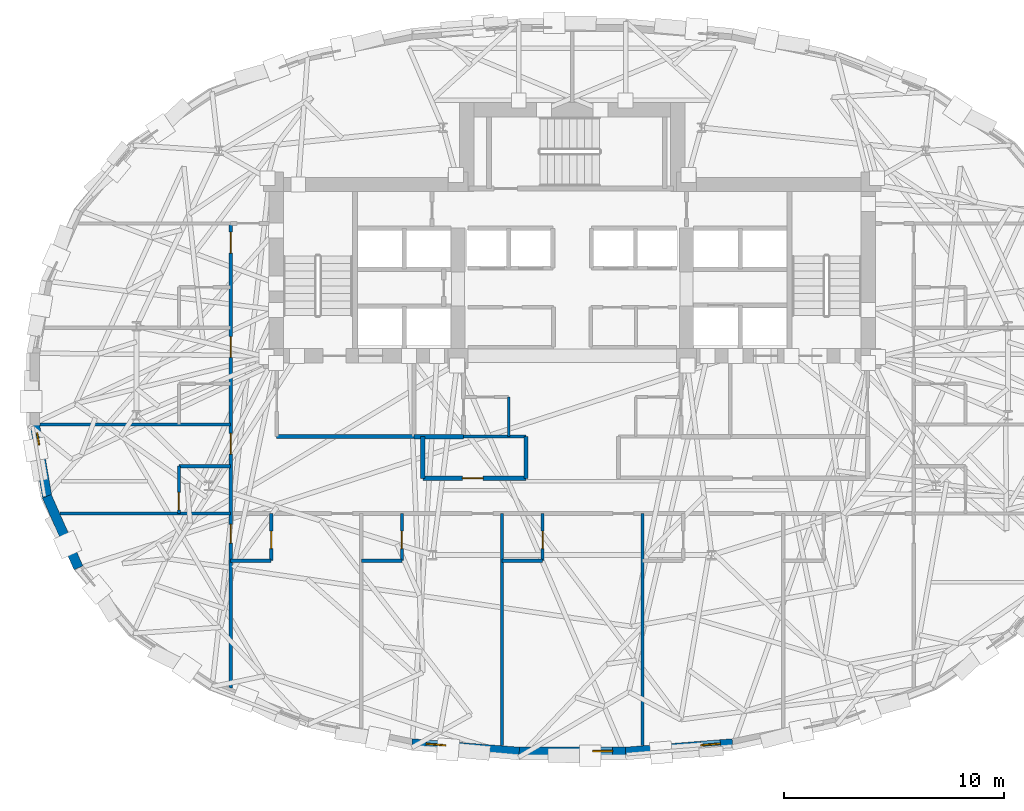
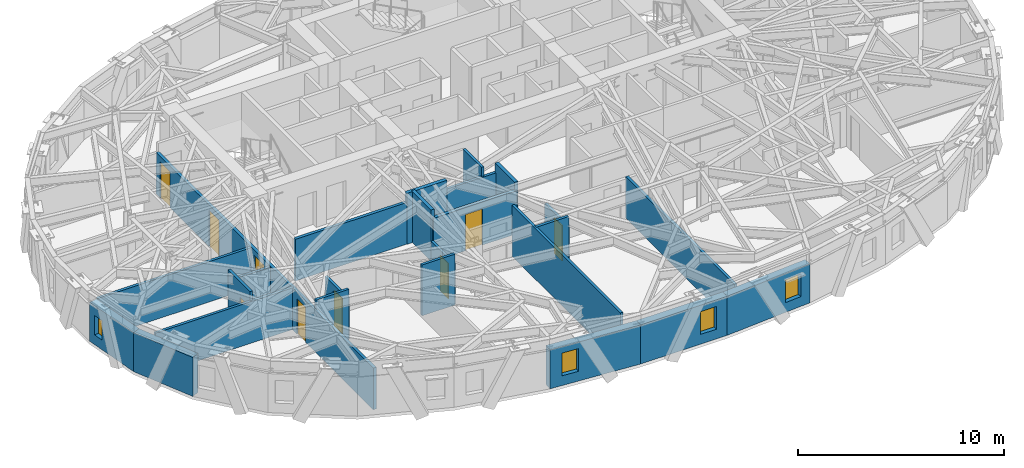
# One storey, part 6 of 15: 25 walls, 9 doors, 4 windows, 13 openings.
"""IFC4 building model written with IfcOpenShell, lengths in metres."""

from ifc_helpers import new_model, si_unit, direction, frame, frame_2d, origin, place, context, subcontext, project, spatial, rectangle, extrude, material, layer, layer_set, type_object, element, fill, save


model = new_model("IFC4")

# Units and contexts
model_context = context("Model", 3, precision=1e-05, world=origin(), true_north=direction((0.0, 1.0)))
body_context = subcontext(model_context, "Body", "Model", "MODEL_VIEW")
ifc_project = project(units=[si_unit("LENGTHUNIT", "METRE"), si_unit("AREAUNIT", "SQUARE_METRE"), si_unit("VOLUMEUNIT", "CUBIC_METRE"), si_unit("PLANEANGLEUNIT", "RADIAN"), si_unit("MASSUNIT", "GRAM", prefix="KILO")], contexts=[model_context])

# Site, building, storey
site_placement = place(None, origin())
site = spatial("IfcSite", under=ifc_project, at=site_placement, CompositionType="ELEMENT")
building_placement = place(site_placement, origin())
building = spatial("IfcBuilding", under=site, at=building_placement, Name="Keldmark Tower", CompositionType="ELEMENT")
storey_placement = place(building_placement, frame((0.0, 0.0, 150.199951171875)))
storey = spatial("IfcBuildingStorey", under=building, at=storey_placement, Name="L40", CompositionType="ELEMENT", Elevation=150.199951171875)

# Wall, opening, door
ifc_material_1 = material(Name="Heavy Acoustic Plumbing Chase Gypsum Assembly", Category="gypsum")
ifc_layer_1 = layer(ifc_material_1, 0.18994140625)
ifc_layer_set_1 = layer_set([ifc_layer_1], Name="Heavy Acoustic Plumbing Chase Gypsum Assembly")
wall_type_1 = type_object("IfcWallType", Name="Heavy Wet Wall 190 mm", PredefinedType="PLUMBINGWALL", material=ifc_layer_set_1)
wall_1_placement = place(storey_placement, frame((-6.800048828125, -4.050048828125, 0.0), z_axis=(0.0, 0.0, 1.0), x_axis=(1.0, 0.0, 0.0)))
wall_1 = element("IfcWall", 1, at=wall_1_placement, inside=storey, type_object=wall_type_1, Name="L40 Heavy Wet Wall 190 mm SPK-W-S", PredefinedType="PLUMBINGWALL", context=body_context, shape_type="SweptSolid", body=[
    extrude(rectangle(XDim=4.699951171875, YDim=0.18994140625, at=frame_2d((2.35009765625, 0.0))), origin(), (0.0, 0.0, 1.0), 2.554931640625),
])
opening_1_placement = place(wall_1_placement, frame((1.800048828125, 0.0, 0.0)))
opening_1 = element("IfcOpeningElement", 2, at=opening_1_placement, cuts=wall_1, Name="Opening D-AWC95", PredefinedType="OPENING", context=body_context, shape_type="SweptSolid", body=[
    extrude(rectangle(XDim=0.949951171875, YDim=2.14990234375, at=frame_2d((0.47509765625, 1.074951171875))), frame((0.0, 0.10498046875, 0.0), z_axis=(0.0, -1.0, 0.0), x_axis=(1.0, 0.0, 0.0)), (0.0, 0.0, 1.0), 0.2099609375),
])
ifc_material_2 = material(Name="Painted Solid-Core Architectural Wood", Category="wood")
door_type_1 = type_object("IfcDoorType", Name="Accessible WC Door 950x2150", OperationType="NOTDEFINED", PredefinedType="DOOR", material=ifc_material_2)
door_1_placement = place(opening_1_placement, origin())
door_1 = element("IfcDoor", 3, at=door_1_placement, inside=storey, type_object=door_type_1, Name="L40 Accessible WC Door 950x2150 D-SPKW1-L40", OperationType="SINGLE_SWING_LEFT", OverallHeight=2.14990234375, OverallWidth=0.949951171875, PredefinedType="DOOR", context=body_context, shape_type="SweptSolid", body=[
    extrude(rectangle(XDim=0.949951171875, YDim=2.14990234375, at=frame_2d((0.47509765625, 1.074951171875))), frame((0.0, 0.02490234375, 0.0), z_axis=(0.0, -1.0, 0.0), x_axis=(1.0, 0.0, 0.0)), (0.0, 0.0, 1.0), 0.050048828125),
])
fill(opening_1, door_1)

# Walls
for number, where, z_axis, x_axis, name in (
    (4, (-6.800048828125, -4.050048828125, 0.0), (0.0, 0.0, 1.0), (0.0, 1.0, 0.0), "L40 Heavy Wet Wall 190 mm SPK-W-W"),
    (5, (-2.10009765625, -4.050048828125, 0.0), (0.0, 0.0, 1.0), (0.0, 1.0, 0.0), "L40 Heavy Wet Wall 190 mm SPK-W-E"),
):
    element("IfcWall", number, at=place(storey_placement, frame(where, z_axis=z_axis, x_axis=x_axis)), inside=storey, type_object=wall_type_1, Name=name, PredefinedType="PLUMBINGWALL", context=body_context, shape_type="SweptSolid", body=[
        extrude(rectangle(XDim=1.900146484375, YDim=0.18994140625, at=frame_2d((0.9501953125, 0.0))), origin(), (0.0, 0.0, 1.0), 3.02001953125),
    ])
ifc_material_3 = material(Name="Acoustic Gypsum Board Interior Partition", Category="gypsum")
ifc_layer_2 = layer(ifc_material_3, 0.1298828125)
ifc_layer_set_2 = layer_set([ifc_layer_2], Name="Acoustic Gypsum Board Interior Partition")
wall_type_2 = type_object("IfcWallType", Name="Interior Partition 130 mm", PredefinedType="PARTITIONING", material=ifc_layer_set_2)
wall_2_placement = place(storey_placement, frame((-2.889892578125, -2.14990234375, 0.0), z_axis=(0.0, 0.0, 1.0), x_axis=(0.0, 1.0, 0.0)))
element("IfcWall", 6, at=wall_2_placement, inside=storey, type_object=wall_type_2, Name="L40 Interior Partition 130 mm CSC-W-E", PredefinedType="PARTITIONING", context=body_context, shape_type="SweptSolid", body=[
    extrude(rectangle(XDim=1.7998046875, YDim=0.1298828125, at=frame_2d((0.89990234375, 0.0))), origin(), (0.0, 0.0, 1.0), 3.02001953125),
])
ifc_material_4 = material(Name="Type X Fire-Rated Gypsum Partition Assembly", Category="gypsum")
ifc_layer_3 = layer(ifc_material_4, 0.1650390625)
ifc_layer_set_3 = layer_set([ifc_layer_3], Name="Type X Fire-Rated Gypsum Partition Assembly")
wall_type_3 = type_object("IfcWallType", Name="Rated Partition 165 mm", PredefinedType="PARTITIONING", material=ifc_layer_set_3)
wall_3_placement = place(storey_placement, frame((-13.449951171875, -2.14990234375, 0.0), z_axis=(0.0, 0.0, 1.0), x_axis=(1.0, 0.0, 0.0)))
element("IfcWall", 7, at=wall_3_placement, inside=storey, type_object=wall_type_3, Name="L40 Rated Partition 165 mm FSAE-W-S", PredefinedType="PARTITIONING", context=body_context, shape_type="SweptSolid", body=[
    extrude(rectangle(XDim=6.25, YDim=0.1650390625, at=frame_2d((3.125, 0.0))), origin(), (0.0, 0.0, 1.0), 2.47314453125),
])

# Wall, openings, doors
wall_4_placement = place(storey_placement, frame((-15.550048828125, -13.5869140625, 0.0), z_axis=(0.0, 0.0, 1.0), x_axis=(0.0, 1.0, 0.0)))
wall_4 = element("IfcWall", 8, at=wall_4_placement, inside=storey, type_object=wall_type_3, Name="L40 Rated Partition 165 mm HCOR-W", PredefinedType="PARTITIONING", context=body_context, shape_type="SweptSolid", body=[
    extrude(rectangle(XDim=21.136962890625, YDim=0.1650390625, at=frame_2d((10.568359375, 0.0))), origin(), (0.0, 0.0, 1.0), 2.47314453125),
])
opening_2_placement = place(wall_4_placement, frame((6.586669921875, 0.0, 0.0)))
opening_2 = element("IfcOpeningElement", 9, at=opening_2_placement, cuts=wall_4, Name="Opening D-IN085", PredefinedType="OPENING", context=body_context, shape_type="SweptSolid", body=[
    extrude(rectangle(XDim=0.85009765625, YDim=2.10009765625, at=frame_2d((0.425048828125, 1.050048828125))), frame((0.0, 0.092529296875, 0.0), z_axis=(0.0, -1.0, 0.0), x_axis=(1.0, 0.0, 0.0)), (0.0, 0.0, 1.0), 0.18505859375),
])
opening_3_placement = place(wall_4_placement, frame((10.63671875, 0.0, 0.0)))
opening_3 = element("IfcOpeningElement", 10, at=opening_3_placement, cuts=wall_4, Name="Opening D-HT095", PredefinedType="OPENING", context=body_context, shape_type="SweptSolid", body=[
    extrude(rectangle(XDim=0.949951171875, YDim=2.14990234375, at=frame_2d((0.47509765625, 1.074951171875))), frame((0.0, 0.092529296875, 0.0), z_axis=(0.0, -1.0, 0.0), x_axis=(1.0, 0.0, 0.0)), (0.0, 0.0, 1.0), 0.18505859375),
])
opening_4_placement = place(wall_4_placement, frame((15.03662109375, 0.0, 0.0)))
opening_4 = element("IfcOpeningElement", 11, at=opening_4_placement, cuts=wall_4, Name="Opening D-HT095", PredefinedType="OPENING", context=body_context, shape_type="SweptSolid", body=[
    extrude(rectangle(XDim=0.949951171875, YDim=2.14990234375, at=frame_2d((0.47509765625, 1.074951171875))), frame((0.0, 0.092529296875, 0.0), z_axis=(0.0, -1.0, 0.0), x_axis=(1.0, 0.0, 0.0)), (0.0, 0.0, 1.0), 0.18505859375),
])
opening_5_placement = place(wall_4_placement, frame((19.78662109375, 0.0, 0.0)))
opening_5 = element("IfcOpeningElement", 12, at=opening_5_placement, cuts=wall_4, Name="Opening D-HT095", PredefinedType="OPENING", context=body_context, shape_type="SweptSolid", body=[
    extrude(rectangle(XDim=0.949951171875, YDim=2.14990234375, at=frame_2d((0.47509765625, 1.074951171875))), frame((0.0, 0.092529296875, 0.0), z_axis=(0.0, -1.0, 0.0), x_axis=(1.0, 0.0, 0.0)), (0.0, 0.0, 1.0), 0.18505859375),
])
ifc_material_5 = material(Name="Solid-Core Acoustic White Oak Fire-Rated Assembly", Category="wood")
door_type_2 = type_object("IfcDoorType", Name="Hotel Entry Door 950x2150", OperationType="NOTDEFINED", PredefinedType="DOOR", material=ifc_material_5)
door_2_placement = place(opening_3_placement, origin())
door_2 = element("IfcDoor", 13, at=door_2_placement, inside=storey, type_object=door_type_2, Name="L40 Hotel Entry Door 950x2150 D-HR-6-L40", OperationType="SINGLE_SWING_RIGHT", OverallHeight=2.14990234375, OverallWidth=0.949951171875, PredefinedType="DOOR", context=body_context, shape_type="SweptSolid", body=[
    extrude(rectangle(XDim=0.949951171875, YDim=2.14990234375, at=frame_2d((0.47509765625, 1.074951171875))), frame((0.0, 0.02490234375, 0.0), z_axis=(0.0, -1.0, 0.0), x_axis=(1.0, 0.0, 0.0)), (0.0, 0.0, 1.0), 0.050048828125),
])
fill(opening_3, door_2)
door_3_placement = place(opening_4_placement, origin())
door_3 = element("IfcDoor", 14, at=door_3_placement, inside=storey, type_object=door_type_2, Name="L40 Hotel Entry Door 950x2150 D-HR-7-L40", OperationType="SINGLE_SWING_RIGHT", OverallHeight=2.14990234375, OverallWidth=0.949951171875, PredefinedType="DOOR", context=body_context, shape_type="SweptSolid", body=[
    extrude(rectangle(XDim=0.949951171875, YDim=2.14990234375, at=frame_2d((0.47509765625, 1.074951171875))), frame((0.0, 0.02490234375, 0.0), z_axis=(0.0, -1.0, 0.0), x_axis=(1.0, 0.0, 0.0)), (0.0, 0.0, 1.0), 0.050048828125),
])
fill(opening_4, door_3)
door_4_placement = place(opening_5_placement, origin())
door_4 = element("IfcDoor", 15, at=door_4_placement, inside=storey, type_object=door_type_2, Name="L40 Hotel Entry Door 950x2150 D-HR-8-L40", OperationType="SINGLE_SWING_RIGHT", OverallHeight=2.14990234375, OverallWidth=0.949951171875, PredefinedType="DOOR", context=body_context, shape_type="SweptSolid", body=[
    extrude(rectangle(XDim=0.949951171875, YDim=2.14990234375, at=frame_2d((0.47509765625, 1.074951171875))), frame((0.0, 0.02490234375, 0.0), z_axis=(0.0, -1.0, 0.0), x_axis=(1.0, 0.0, 0.0)), (0.0, 0.0, 1.0), 0.050048828125),
])
fill(opening_5, door_4)
ifc_material_6 = material(Name="Painted Architectural Wood", Category="wood")
door_type_3 = type_object("IfcDoorType", Name="Interior Door 850x2100", OperationType="NOTDEFINED", PredefinedType="DOOR", material=ifc_material_6)
door_5_placement = place(opening_2_placement, origin())
door_5 = element("IfcDoor", 16, at=door_5_placement, inside=storey, type_object=door_type_3, Name="L40 Interior Door 850x2100 D-HKSW-L40", OperationType="SINGLE_SWING_LEFT", OverallHeight=2.10009765625, OverallWidth=0.85009765625, PredefinedType="DOOR", context=body_context, shape_type="SweptSolid", body=[
    extrude(rectangle(XDim=0.85009765625, YDim=2.10009765625, at=frame_2d((0.425048828125, 1.050048828125))), frame((0.0, 0.02490234375, 0.0), z_axis=(0.0, -1.0, 0.0), x_axis=(1.0, 0.0, 0.0)), (0.0, 0.0, 1.0), 0.050048828125),
])
fill(opening_2, door_5)

# Wall
ifc_material_7 = material(Name="Fire-Resistant Type X Gypsum Shaftliner Coreboard", Category="gypsum")
ifc_layer_4 = layer(ifc_material_7, 0.199951171875)
ifc_layer_set_4 = layer_set([ifc_layer_4], Name="Fire-Resistant Type X Gypsum Shaftliner Coreboard")
wall_type_4 = type_object("IfcWallType", Name="Shaft Wall 200 mm", PredefinedType="SOLIDWALL", material=ifc_layer_set_4)
wall_5_placement = place(storey_placement, frame((-7.199951171875, -2.14990234375, 0.0), z_axis=(0.0, 0.0, 1.0), x_axis=(1.0, 0.0, 0.0)))
element("IfcWall", 17, at=wall_5_placement, inside=storey, type_object=wall_type_4, Name="L40 Shaft Wall 200 mm RIS-SW-S", PredefinedType="SOLIDWALL", context=body_context, shape_type="SweptSolid", body=[
    extrude(rectangle(XDim=2.25, YDim=0.199951171875, at=frame_2d((1.125, 0.0))), origin(), (0.0, 0.0, 1.0), 3.02001953125),
])

# Wall, opening, window
ifc_material_8 = material(Name="Ironspot Manganese Brick and Kasota Buff Limestone Spandrel Assembly", Category="masonry")
ifc_layer_5 = layer(ifc_material_8, 0.43994140625)
ifc_layer_set_5 = layer_set([ifc_layer_5], Name="Ironspot Manganese Brick and Kasota Buff Limestone Spandrel Assembly")
wall_type_5 = type_object("IfcWallType", Name="Tower Brick Pier and Spandrel Wall 440 mm", PredefinedType="STANDARD", material=ifc_layer_set_5)
wall_6_placement = place(storey_placement, frame((-23.89501953125, -4.9208984375, 0.0), z_axis=(0.0, 0.0, 1.0), x_axis=(-0.168075929829, 0.985774052109, 0.0)))
wall_6 = element("IfcWall", 18, at=wall_6_placement, inside=storey, type_object=wall_type_5, Name="L40 Exterior Brick and Spandrel Wall 17", PredefinedType="STANDARD", context=body_context, shape_type="SweptSolid", body=[
    extrude(rectangle(XDim=3.3583984375, YDim=0.43994140625, at=frame_2d((1.67919921875, 0.0))), origin(), (0.0, 0.0, 1.0), 2.31494140625),
])
opening_6_placement = place(wall_6_placement, frame((2.411376953125, 0.0, 0.580078125)))
opening_6 = element("IfcOpeningElement", 19, at=opening_6_placement, cuts=wall_6, Name="Opening W-10", PredefinedType="OPENING", context=body_context, shape_type="SweptSolid", body=[
    extrude(rectangle(XDim=0.56005859375, YDim=1.14990234375, at=frame_2d((0.280029296875, 0.574951171875))), frame((0.0, 0.22998046875, 0.0), z_axis=(0.0, -1.0, 0.0), x_axis=(1.0, 0.0, 0.0)), (0.0, 0.0, 1.0), 0.4599609375),
])
ifc_material_9 = material(Name="Thermally Broken Anodized Aluminum and Triple Low-E Argon Glazing", Category="aluminium")
window_type_1 = type_object("IfcWindowType", Name="Narrow Pier Lancet Window 560x1150", PartitioningType="SINGLE_PANEL", PredefinedType="WINDOW", material=ifc_material_9)
window_1_placement = place(opening_6_placement, origin())
window_1 = element("IfcWindow", 20, at=window_1_placement, inside=storey, type_object=window_type_1, Name="L40 Pier Window RM01", OverallHeight=1.14990234375, OverallWidth=0.56005859375, PartitioningType="SINGLE_PANEL", PredefinedType="WINDOW", context=body_context, shape_type="SweptSolid", body=[
    extrude(rectangle(XDim=0.56005859375, YDim=1.14990234375, at=frame_2d((0.280029296875, 0.574951171875))), frame((0.0, -0.010009765625, 0.0), z_axis=(0.0, -1.0, 0.0), x_axis=(1.0, 0.0, 0.0)), (0.0, 0.0, 1.0), 0.06005859375),
])
fill(opening_6, window_1)

# Wall
wall_7_placement = place(storey_placement, frame((-22.47216796875, -8.1259765625, 0.0), z_axis=(0.0, 0.0, 1.0), x_axis=(-0.403999745193, 0.914759097186, 0.0)))
element("IfcWall", 21, at=wall_7_placement, inside=storey, type_object=wall_type_5, Name="L40 Exterior Brick and Spandrel Wall 18", PredefinedType="STANDARD", context=body_context, shape_type="SweptSolid", body=[
    extrude(rectangle(XDim=3.560546875, YDim=0.43994140625, at=frame_2d((1.7802734375, 0.0))), origin(), (0.0, 0.0, 1.0), 2.31494140625),
])

# Wall, opening, window
wall_8_placement = place(storey_placement, frame((-2.4130859375, -16.507080078125, 0.0), z_axis=(0.0, 0.0, 1.0), x_axis=(-0.996946218403, 0.078091213409, 0.0)))
wall_8 = element("IfcWall", 22, at=wall_8_placement, inside=storey, type_object=wall_type_5, Name="L40 Exterior Brick and Spandrel Wall 23", PredefinedType="STANDARD", context=body_context, shape_type="SweptSolid", body=[
    extrude(rectangle(XDim=4.89892578125, YDim=0.43994140625, at=frame_2d((2.449462890625, 0.0))), origin(), (0.0, 0.0, 1.0), 2.31494140625),
])
opening_7_placement = place(wall_8_placement, frame((3.34912109375, 0.0, 0.580078125)))
opening_7 = element("IfcOpeningElement", 23, at=opening_7_placement, cuts=wall_8, Name="Opening W-09", PredefinedType="OPENING", context=body_context, shape_type="SweptSolid", body=[
    extrude(rectangle(XDim=0.89990234375, YDim=1.35009765625, at=frame_2d((0.449951171875, 0.675048828125))), frame((0.0, 0.22998046875, 0.0), z_axis=(0.0, -1.0, 0.0), x_axis=(1.0, 0.0, 0.0)), (0.0, 0.0, 1.0), 0.4599609375),
])
ifc_material_10 = material(Name="Thermally Broken Anodized Aluminum and Triple Low-E Argon Glazing", Category="aluminium")
window_type_2 = type_object("IfcWindowType", Name="Corner Pier Deep-Set Window 900x1350", PartitioningType="SINGLE_PANEL", PredefinedType="WINDOW", material=ifc_material_10)
window_2_placement = place(opening_7_placement, origin())
window_2 = element("IfcWindow", 24, at=window_2_placement, inside=storey, type_object=window_type_2, Name="L40 Deep-Set Window 23", OverallHeight=1.35009765625, OverallWidth=0.89990234375, PartitioningType="SINGLE_PANEL", PredefinedType="WINDOW", context=body_context, shape_type="SweptSolid", body=[
    extrude(rectangle(XDim=0.89990234375, YDim=1.35009765625, at=frame_2d((0.449951171875, 0.675048828125))), frame((0.0, -0.010009765625, 0.0), z_axis=(0.0, -1.0, 0.0), x_axis=(1.0, 0.0, 0.0)), (0.0, 0.0, 1.0), 0.06005859375),
])
fill(opening_7, window_2)

wall_9_placement = place(storey_placement, frame((2.430419921875, -16.506591796875, 0.0), z_axis=(0.0, 0.0, 1.0), x_axis=(-1.0, 0.0, 0.0)))
wall_9 = element("IfcWall", 25, at=wall_9_placement, inside=storey, type_object=wall_type_5, Name="L40 Exterior Brick and Spandrel Wall 24", PredefinedType="STANDARD", context=body_context, shape_type="SweptSolid", body=[
    extrude(rectangle(XDim=4.86083984375, YDim=0.43994140625, at=frame_2d((2.430419921875, 0.0))), origin(), (0.0, 0.0, 1.0), 2.31494140625),
])
opening_8_placement = place(wall_9_placement, frame((0.595703125, 0.0, 0.580078125)))
opening_8 = element("IfcOpeningElement", 26, at=opening_8_placement, cuts=wall_9, Name="Opening W-09", PredefinedType="OPENING", context=body_context, shape_type="SweptSolid", body=[
    extrude(rectangle(XDim=0.89990234375, YDim=1.35009765625, at=frame_2d((0.449951171875, 0.675048828125))), frame((0.0, 0.22998046875, 0.0), z_axis=(0.0, -1.0, 0.0), x_axis=(1.0, 0.0, 0.0)), (0.0, 0.0, 1.0), 0.4599609375),
])
window_3_placement = place(opening_8_placement, origin())
window_3 = element("IfcWindow", 27, at=window_3_placement, inside=storey, type_object=window_type_2, Name="L40 Deep-Set Window 24", OverallHeight=1.35009765625, OverallWidth=0.89990234375, PartitioningType="SINGLE_PANEL", PredefinedType="WINDOW", context=body_context, shape_type="SweptSolid", body=[
    extrude(rectangle(XDim=0.89990234375, YDim=1.35009765625, at=frame_2d((0.449951171875, 0.675048828125))), frame((0.0, -0.010009765625, 0.0), z_axis=(0.0, -1.0, 0.0), x_axis=(1.0, 0.0, 0.0)), (0.0, 0.0, 1.0), 0.06005859375),
])
fill(opening_8, window_3)

wall_10_placement = place(storey_placement, frame((7.297119140625, -16.12451171875, 0.0), z_axis=(0.0, 0.0, 1.0), x_axis=(-0.996946218403, -0.078091213409, 0.0)))
wall_10 = element("IfcWall", 28, at=wall_10_placement, inside=storey, type_object=wall_type_5, Name="L40 Exterior Brick and Spandrel Wall 25", PredefinedType="STANDARD", context=body_context, shape_type="SweptSolid", body=[
    extrude(rectangle(XDim=4.89892578125, YDim=0.43994140625, at=frame_2d((2.449462890625, 0.0))), origin(), (0.0, 0.0, 1.0), 2.31494140625),
])
opening_9_placement = place(wall_10_placement, frame((0.5498046875, 0.0, 0.580078125)))
opening_9 = element("IfcOpeningElement", 29, at=opening_9_placement, cuts=wall_10, Name="Opening W-09", PredefinedType="OPENING", context=body_context, shape_type="SweptSolid", body=[
    extrude(rectangle(XDim=0.89990234375, YDim=1.35009765625, at=frame_2d((0.449951171875, 0.675048828125))), frame((0.0, 0.22998046875, 0.0), z_axis=(0.0, -1.0, 0.0), x_axis=(1.0, 0.0, 0.0)), (0.0, 0.0, 1.0), 0.4599609375),
])
window_4_placement = place(opening_9_placement, origin())
window_4 = element("IfcWindow", 30, at=window_4_placement, inside=storey, type_object=window_type_2, Name="L40 Deep-Set Window 25", OverallHeight=1.35009765625, OverallWidth=0.89990234375, PartitioningType="SINGLE_PANEL", PredefinedType="WINDOW", context=body_context, shape_type="SweptSolid", body=[
    extrude(rectangle(XDim=0.89990234375, YDim=1.35009765625, at=frame_2d((0.449951171875, 0.675048828125))), frame((0.0, -0.010009765625, 0.0), z_axis=(0.0, -1.0, 0.0), x_axis=(1.0, 0.0, 0.0)), (0.0, 0.0, 1.0), 0.06005859375),
])
fill(opening_9, window_4)

# Walls
ifc_material_11 = material(Name="Moisture-Resistant Gypsum Plumbing Partition", Category="gypsum")
ifc_layer_6 = layer(ifc_material_11, 0.14990234375)
ifc_layer_set_6 = layer_set([ifc_layer_6], Name="Moisture-Resistant Gypsum Plumbing Partition")
wall_type_6 = type_object("IfcWallType", Name="Wet Wall 150 mm", PredefinedType="PLUMBINGWALL", material=ifc_layer_set_6)
wall_11_placement = place(storey_placement, frame((-4.949951171875, -2.14990234375, 0.0), z_axis=(0.0, 0.0, 1.0), x_axis=(1.0, 0.0, 0.0)))
element("IfcWall", 31, at=wall_11_placement, inside=storey, type_object=wall_type_6, Name="L40 Wet Wall 150 mm SPK-W-N", PredefinedType="PLUMBINGWALL", context=body_context, shape_type="SweptSolid", body=[
    extrude(rectangle(XDim=2.849853515625, YDim=0.14990234375, at=frame_2d((1.4248046875, 0.0))), origin(), (0.0, 0.0, 1.0), 2.47314453125),
])
wall_12_placement = place(storey_placement, frame((-23.31640625, -5.64990234375, 0.0), z_axis=(0.0, 0.0, 1.0), x_axis=(1.0, 0.0, 0.0)))
element("IfcWall", 32, at=wall_12_placement, inside=storey, type_object=wall_type_6, Name="L40 Wet Wall 150 mm HW-CAP-S", PredefinedType="PLUMBINGWALL", context=body_context, shape_type="SweptSolid", body=[
    extrude(rectangle(XDim=7.766357421875, YDim=0.14990234375, at=frame_2d((3.88330078125, 0.0))), origin(), (0.0, 0.0, 1.0), 2.47314453125),
])
wall_13_placement = place(storey_placement, frame((-3.199951171875, -16.216796875, 0.0), z_axis=(0.0, 0.0, 1.0), x_axis=(0.0, 1.0, 0.0)))
element("IfcWall", 33, at=wall_13_placement, inside=storey, type_object=wall_type_6, Name="L40 Wet Wall 150 mm HS-DIV-2", PredefinedType="PLUMBINGWALL", context=body_context, shape_type="SweptSolid", body=[
    extrude(rectangle(XDim=10.56689453125, YDim=0.14990234375, at=frame_2d((5.283447265625, 0.0))), origin(), (0.0, 0.0, 1.0), 3.02001953125),
])
wall_14_placement = place(storey_placement, frame((3.199951171875, -16.216796875, 0.0), z_axis=(0.0, 0.0, 1.0), x_axis=(0.0, 1.0, 0.0)))
element("IfcWall", 34, at=wall_14_placement, inside=storey, type_object=wall_type_6, Name="L40 Wet Wall 150 mm HS-DIV-3", PredefinedType="PLUMBINGWALL", context=body_context, shape_type="SweptSolid", body=[
    extrude(rectangle(XDim=10.56689453125, YDim=0.14990234375, at=frame_2d((5.283447265625, 0.0))), origin(), (0.0, 0.0, 1.0), 2.47314453125),
])

# Wall, opening, door
wall_15_placement = place(storey_placement, frame((-13.699951171875, -7.800048828125, 0.0), z_axis=(0.0, 0.0, 1.0), x_axis=(0.0, 1.0, 0.0)))
wall_15 = element("IfcWall", 35, at=wall_15_placement, inside=storey, type_object=wall_type_6, Name="L40 Wet Wall 150 mm HB-S1-E", PredefinedType="PLUMBINGWALL", context=body_context, shape_type="SweptSolid", body=[
    extrude(rectangle(XDim=2.150146484375, YDim=0.14990234375, at=frame_2d((1.0751953125, 0.0))), origin(), (0.0, 0.0, 1.0), 2.47314453125),
])
opening_10_placement = place(wall_15_placement, frame((0.550048828125, 0.0, 0.0)))
opening_10 = element("IfcOpeningElement", 36, at=opening_10_placement, cuts=wall_15, Name="Opening D-BT080", PredefinedType="OPENING", context=body_context, shape_type="SweptSolid", body=[
    extrude(rectangle(XDim=0.800048828125, YDim=2.10009765625, at=frame_2d((0.39990234375, 1.050048828125))), frame((0.0, 0.0849609375, 0.0), z_axis=(0.0, -1.0, 0.0), x_axis=(1.0, 0.0, 0.0)), (0.0, 0.0, 1.0), 0.169921875),
])
ifc_material_12 = material(Name="Moisture-Sealed Stained Wood", Category="wood")
door_type_4 = type_object("IfcDoorType", Name="Bathroom Door 800x2100", OperationType="NOTDEFINED", PredefinedType="DOOR", material=ifc_material_12)
door_6_placement = place(opening_10_placement, origin())
door_6 = element("IfcDoor", 37, at=door_6_placement, inside=storey, type_object=door_type_4, Name="L40 Bathroom Door 800x2100 D-HBS1-L40", OperationType="SINGLE_SWING_RIGHT", OverallHeight=2.10009765625, OverallWidth=0.800048828125, PredefinedType="DOOR", context=body_context, shape_type="SweptSolid", body=[
    extrude(rectangle(XDim=0.800048828125, YDim=2.10009765625, at=frame_2d((0.39990234375, 1.050048828125))), frame((0.0, 0.02490234375, 0.0), z_axis=(0.0, -1.0, 0.0), x_axis=(1.0, 0.0, 0.0)), (0.0, 0.0, 1.0), 0.050048828125),
])
fill(opening_10, door_6)

# Wall
wall_16_placement = place(storey_placement, frame((-15.550048828125, -7.800048828125, 0.0), z_axis=(0.0, 0.0, 1.0), x_axis=(1.0, 0.0, 0.0)))
element("IfcWall", 38, at=wall_16_placement, inside=storey, type_object=wall_type_6, Name="L40 Wet Wall 150 mm HB-S1-S", PredefinedType="PLUMBINGWALL", context=body_context, shape_type="SweptSolid", body=[
    extrude(rectangle(XDim=1.85009765625, YDim=0.14990234375, at=frame_2d((0.925048828125, 0.0))), origin(), (0.0, 0.0, 1.0), 3.02001953125),
])

# Wall, opening, door
wall_17_placement = place(storey_placement, frame((-7.75, -7.800048828125, 0.0), z_axis=(0.0, 0.0, 1.0), x_axis=(0.0, 1.0, 0.0)))
wall_17 = element("IfcWall", 39, at=wall_17_placement, inside=storey, type_object=wall_type_6, Name="L40 Wet Wall 150 mm HB-S2-E", PredefinedType="PLUMBINGWALL", context=body_context, shape_type="SweptSolid", body=[
    extrude(rectangle(XDim=2.150146484375, YDim=0.14990234375, at=frame_2d((1.0751953125, 0.0))), origin(), (0.0, 0.0, 1.0), 2.47314453125),
])
opening_11_placement = place(wall_17_placement, frame((0.550048828125, 0.0, 0.0)))
opening_11 = element("IfcOpeningElement", 40, at=opening_11_placement, cuts=wall_17, Name="Opening D-BT080", PredefinedType="OPENING", context=body_context, shape_type="SweptSolid", body=[
    extrude(rectangle(XDim=0.800048828125, YDim=2.10009765625, at=frame_2d((0.39990234375, 1.050048828125))), frame((0.0, 0.0849609375, 0.0), z_axis=(0.0, -1.0, 0.0), x_axis=(1.0, 0.0, 0.0)), (0.0, 0.0, 1.0), 0.169921875),
])
door_7_placement = place(opening_11_placement, origin())
door_7 = element("IfcDoor", 41, at=door_7_placement, inside=storey, type_object=door_type_4, Name="L40 Bathroom Door 800x2100 D-HBS2-L40", OperationType="SINGLE_SWING_RIGHT", OverallHeight=2.10009765625, OverallWidth=0.800048828125, PredefinedType="DOOR", context=body_context, shape_type="SweptSolid", body=[
    extrude(rectangle(XDim=0.800048828125, YDim=2.10009765625, at=frame_2d((0.39990234375, 1.050048828125))), frame((0.0, 0.02490234375, 0.0), z_axis=(0.0, -1.0, 0.0), x_axis=(1.0, 0.0, 0.0)), (0.0, 0.0, 1.0), 0.050048828125),
])
fill(opening_11, door_7)

# Wall
wall_18_placement = place(storey_placement, frame((-9.60009765625, -7.800048828125, 0.0), z_axis=(0.0, 0.0, 1.0), x_axis=(1.0, 0.0, 0.0)))
element("IfcWall", 42, at=wall_18_placement, inside=storey, type_object=wall_type_6, Name="L40 Wet Wall 150 mm HB-S2-S", PredefinedType="PLUMBINGWALL", context=body_context, shape_type="SweptSolid", body=[
    extrude(rectangle(XDim=1.85009765625, YDim=0.14990234375, at=frame_2d((0.925048828125, 0.0))), origin(), (0.0, 0.0, 1.0), 3.02001953125),
])

# Wall, opening, door
wall_19_placement = place(storey_placement, frame((-1.35009765625, -7.800048828125, 0.0), z_axis=(0.0, 0.0, 1.0), x_axis=(0.0, 1.0, 0.0)))
wall_19 = element("IfcWall", 43, at=wall_19_placement, inside=storey, type_object=wall_type_6, Name="L40 Wet Wall 150 mm HB-S3-E", PredefinedType="PLUMBINGWALL", context=body_context, shape_type="SweptSolid", body=[
    extrude(rectangle(XDim=2.150146484375, YDim=0.14990234375, at=frame_2d((1.0751953125, 0.0))), origin(), (0.0, 0.0, 1.0), 2.47314453125),
])
opening_12_placement = place(wall_19_placement, frame((0.550048828125, 0.0, 0.0)))
opening_12 = element("IfcOpeningElement", 44, at=opening_12_placement, cuts=wall_19, Name="Opening D-BT080", PredefinedType="OPENING", context=body_context, shape_type="SweptSolid", body=[
    extrude(rectangle(XDim=0.800048828125, YDim=2.10009765625, at=frame_2d((0.39990234375, 1.050048828125))), frame((0.0, 0.0849609375, 0.0), z_axis=(0.0, -1.0, 0.0), x_axis=(1.0, 0.0, 0.0)), (0.0, 0.0, 1.0), 0.169921875),
])
door_8_placement = place(opening_12_placement, origin())
door_8 = element("IfcDoor", 45, at=door_8_placement, inside=storey, type_object=door_type_4, Name="L40 Bathroom Door 800x2100 D-HBS3-L40", OperationType="SINGLE_SWING_RIGHT", OverallHeight=2.10009765625, OverallWidth=0.800048828125, PredefinedType="DOOR", context=body_context, shape_type="SweptSolid", body=[
    extrude(rectangle(XDim=0.800048828125, YDim=2.10009765625, at=frame_2d((0.39990234375, 1.050048828125))), frame((0.0, 0.02490234375, 0.0), z_axis=(0.0, -1.0, 0.0), x_axis=(1.0, 0.0, 0.0)), (0.0, 0.0, 1.0), 0.050048828125),
])
fill(opening_12, door_8)

# Walls
wall_20_placement = place(storey_placement, frame((-3.199951171875, -7.800048828125, 0.0), z_axis=(0.0, 0.0, 1.0), x_axis=(1.0, 0.0, 0.0)))
element("IfcWall", 46, at=wall_20_placement, inside=storey, type_object=wall_type_6, Name="L40 Wet Wall 150 mm HB-S3-S", PredefinedType="PLUMBINGWALL", context=body_context, shape_type="SweptSolid", body=[
    extrude(rectangle(XDim=1.849853515625, YDim=0.14990234375, at=frame_2d((0.9248046875, 0.0))), origin(), (0.0, 0.0, 1.0), 3.02001953125),
])
wall_21_placement = place(storey_placement, frame((-24.228271484375, -1.60009765625, 0.0), z_axis=(0.0, 0.0, 1.0), x_axis=(1.0, 0.0, 0.0)))
element("IfcWall", 47, at=wall_21_placement, inside=storey, type_object=wall_type_6, Name="L40 Wet Wall 150 mm HW-DIV-1", PredefinedType="PLUMBINGWALL", context=body_context, shape_type="SweptSolid", body=[
    extrude(rectangle(XDim=8.67822265625, YDim=0.14990234375, at=frame_2d((4.339111328125, 0.0))), origin(), (0.0, 0.0, 1.0), 2.39794921875),
])
wall_22_placement = place(storey_placement, frame((-17.89990234375, -3.5, 0.0), z_axis=(0.0, 0.0, 1.0), x_axis=(1.0, 0.0, 0.0)))
element("IfcWall", 48, at=wall_22_placement, inside=storey, type_object=wall_type_6, Name="L40 Wet Wall 150 mm HB-6-N", PredefinedType="PLUMBINGWALL", context=body_context, shape_type="SweptSolid", body=[
    extrude(rectangle(XDim=2.349853515625, YDim=0.14990234375, at=frame_2d((1.1748046875, 0.0))), origin(), (0.0, 0.0, 1.0), 2.39794921875),
])

# Wall, opening, door
wall_23_placement = place(storey_placement, frame((-17.89990234375, -5.64990234375, 0.0), z_axis=(0.0, 0.0, 1.0), x_axis=(0.0, 1.0, 0.0)))
wall_23 = element("IfcWall", 49, at=wall_23_placement, inside=storey, type_object=wall_type_6, Name="L40 Wet Wall 150 mm HB-6-IN", PredefinedType="PLUMBINGWALL", context=body_context, shape_type="SweptSolid", body=[
    extrude(rectangle(XDim=2.14990234375, YDim=0.14990234375, at=frame_2d((1.074951171875, 0.0))), origin(), (0.0, 0.0, 1.0), 3.02001953125),
])
opening_13_placement = place(wall_23_placement, frame((0.159912109375, 0.0, 0.0)))
opening_13 = element("IfcOpeningElement", 50, at=opening_13_placement, cuts=wall_23, Name="Opening D-BT080", PredefinedType="OPENING", context=body_context, shape_type="SweptSolid", body=[
    extrude(rectangle(XDim=0.800048828125, YDim=2.10009765625, at=frame_2d((0.39990234375, 1.050048828125))), frame((0.0, 0.0849609375, 0.0), z_axis=(0.0, -1.0, 0.0), x_axis=(1.0, 0.0, 0.0)), (0.0, 0.0, 1.0), 0.169921875),
])
door_9_placement = place(opening_13_placement, origin())
door_9 = element("IfcDoor", 51, at=door_9_placement, inside=storey, type_object=door_type_4, Name="L40 Bathroom Door 800x2100 D-HB-6-L40", OperationType="SINGLE_SWING_LEFT", OverallHeight=2.10009765625, OverallWidth=0.800048828125, PredefinedType="DOOR", context=body_context, shape_type="SweptSolid", body=[
    extrude(rectangle(XDim=0.800048828125, YDim=2.10009765625, at=frame_2d((0.39990234375, 1.050048828125))), frame((0.0, 0.02490234375, 0.0), z_axis=(0.0, -1.0, 0.0), x_axis=(1.0, 0.0, 0.0)), (0.0, 0.0, 1.0), 0.050048828125),
])
fill(opening_13, door_9)

save(model, "model.ifc")
